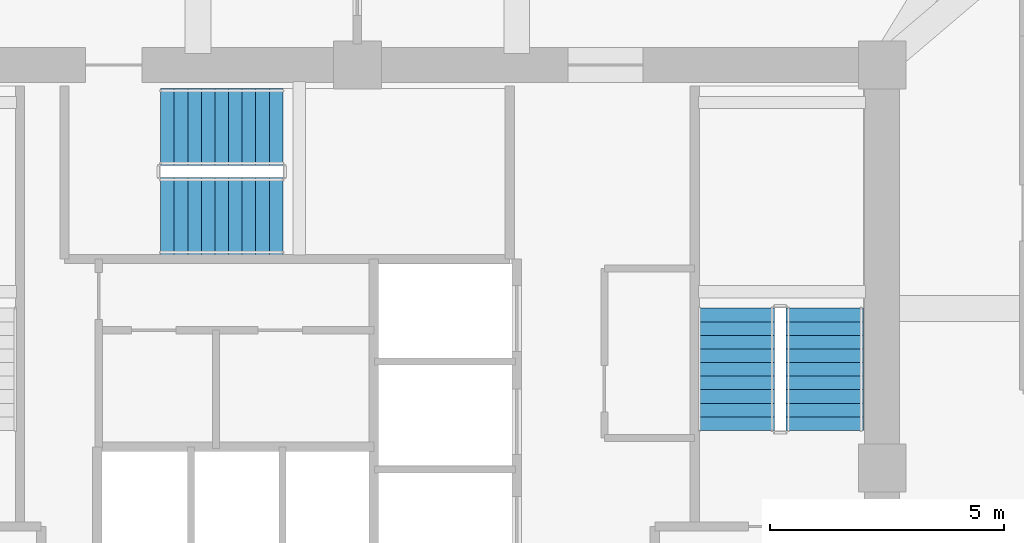
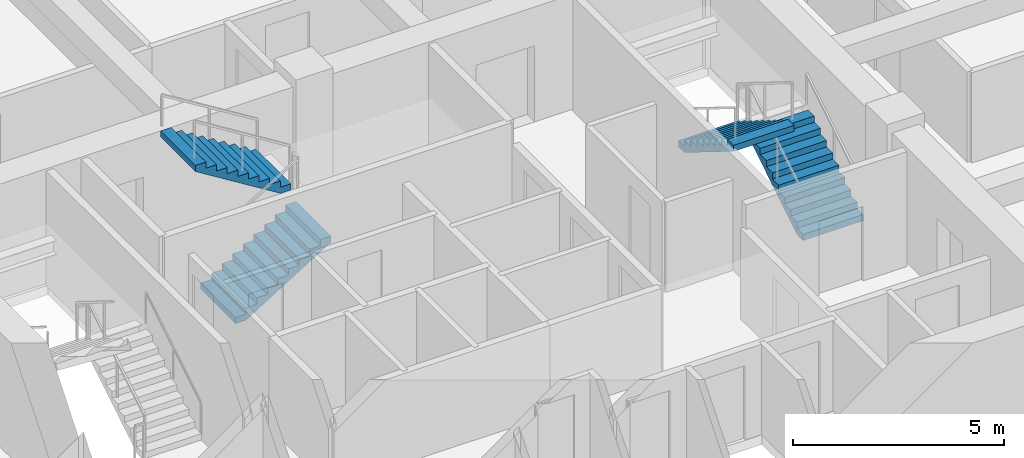
# One storey, part 13 of 15: 4 stair flights, 2 elements without a shape of their own.
"""IFC4 building model written with IfcOpenShell, lengths in metres."""

from ifc_helpers import new_model, si_unit, derived_unit, direction, frame, origin, place, context, subcontext, project, spatial, polyline, outline, extrude, material, type_object, element, aggregate, save


model = new_model("IFC4")

# Units and contexts
model_context = context("Model", 3, precision=1e-05, world=origin(), true_north=direction((0.0, 1.0)))
body_context = subcontext(model_context, "Body", "Model", "MODEL_VIEW")
ifc_project = project(units=[si_unit("LENGTHUNIT", "METRE"), si_unit("AREAUNIT", "SQUARE_METRE"), si_unit("VOLUMEUNIT", "CUBIC_METRE"), si_unit("PLANEANGLEUNIT", "RADIAN"), si_unit("MASSUNIT", "GRAM", prefix="KILO"), derived_unit("THERMALTRANSMITTANCEUNIT", [(si_unit("POWERUNIT", "WATT"), 1), (si_unit("LENGTHUNIT", "METRE"), -2), (si_unit("THERMODYNAMICTEMPERATUREUNIT", "KELVIN"), -1)])], contexts=[model_context])

# Site, building, storey
site_placement = place(None, origin())
site = spatial("IfcSite", under=ifc_project, at=site_placement, CompositionType="ELEMENT")
building_placement = place(site_placement, origin())
building = spatial("IfcBuilding", under=site, at=building_placement, Name="Koralith Skygarden Medical Center", CompositionType="ELEMENT")
storey_placement = place(building_placement, frame((0.0, 0.0, 91.97998046875)))
storey = spatial("IfcBuildingStorey", under=building, at=storey_placement, Name="L23", CompositionType="ELEMENT", Elevation=91.97998046875)

# Stair, stair flights
ifc_material = material(Name="Concrete C45/55", Category="concrete")
stair_type = type_object("IfcStairType", Name="Core Exit Dogleg Concrete Stair", PredefinedType="HALF_TURN_STAIR", material=ifc_material)
stair_1_placement = place(storey_placement, origin())
stair_1 = element("IfcStair", 1, at=stair_1_placement, inside=storey, type_object=stair_type, Name="L23 Smokeproof Exit Stair ST2", PredefinedType="HALF_TURN_STAIR")
stair_flight_type = type_object("IfcStairFlightType", Name="Core Exit Concrete Stair Flight 1650", PredefinedType="STRAIGHT", material=ifc_material)
stair_flight_1_placement = place(storey_placement, frame((46.97509765625, 26.699951171875, 0.0), z_axis=(0.0, 0.0, 1.0), x_axis=(0.0, 1.0, 0.0)))
stair_flight_1 = element("IfcStairFlight", 2, at=stair_flight_1_placement, type_object=stair_flight_type, Name="ST2 flight 1", NumberOfRisers=10, NumberOfTreads=9, PredefinedType="STRAIGHT", RiserHeight=0.18, TreadLength=0.29, context=body_context, shape_type="SweptSolid", body=[
    extrude(outline(polyline([(0.0, 0.0), (0.0, 0.179931640625), (0.2900390625, 0.179931640625), (0.2900390625, 0.360107421875), (0.580078125, 0.360107421875), (0.580078125, 0.5400390625), (0.8701171875, 0.5400390625), (0.8701171875, 0.719970703125), (1.159912109375, 0.719970703125), (1.159912109375, 0.89990234375), (1.449951171875, 0.89990234375), (1.449951171875, 1.080078125), (1.739990234375, 1.080078125), (1.739990234375, 1.260009765625), (2.030029296875, 1.260009765625), (2.030029296875, 1.43994140625), (2.320068359375, 1.43994140625), (2.320068359375, 1.6201171875), (2.610107421875, 1.6201171875), (2.610107421875, 1.800048828125), (2.610107421875, 1.443603515625), (0.2841796875, 0.0), (0.0, 0.0)])), frame((0.0, 0.824951171875, 0.0), z_axis=(0.0, -1.0, 0.0), x_axis=(1.0, 0.0, 0.0)), (0.0, 0.0, 1.0), 1.64990234375),
])
stair_flight_2_placement = place(storey_placement, frame((45.074951171875, 29.31005859375, 1.800048828125), z_axis=(0.0, 0.0, 1.0), x_axis=(0.0, -1.0, 0.0)))
stair_flight_2 = element("IfcStairFlight", 3, at=stair_flight_2_placement, type_object=stair_flight_type, Name="ST2 flight 2", NumberOfRisers=10, NumberOfTreads=9, PredefinedType="STRAIGHT", RiserHeight=0.18, TreadLength=0.29, context=body_context, shape_type="SweptSolid", body=[
    extrude(outline(polyline([(0.0, 0.0), (0.0, 0.179931640625), (0.2900390625, 0.179931640625), (0.2900390625, 0.360107421875), (0.580078125, 0.360107421875), (0.580078125, 0.5400390625), (0.8701171875, 0.5400390625), (0.8701171875, 0.719970703125), (1.159912109375, 0.719970703125), (1.159912109375, 0.89990234375), (1.449951171875, 0.89990234375), (1.449951171875, 1.080078125), (1.739990234375, 1.080078125), (1.739990234375, 1.260009765625), (2.030029296875, 1.260009765625), (2.030029296875, 1.43994140625), (2.320068359375, 1.43994140625), (2.320068359375, 1.6201171875), (2.610107421875, 1.6201171875), (2.610107421875, 1.800048828125), (2.610107421875, 1.443603515625), (0.2841796875, 0.0), (0.0, 0.0)])), frame((0.0, 0.824951171875, 0.0), z_axis=(0.0, -1.0, 0.0), x_axis=(1.0, 0.0, 0.0)), (0.0, 0.0, 1.0), 1.64990234375),
])
aggregate(stair_1, [stair_flight_1, stair_flight_2])

stair_2_placement = place(storey_placement, origin())
stair_2 = element("IfcStair", 4, at=stair_2_placement, inside=storey, type_object=stair_type, Name="L23 Smokeproof Exit Stair ST3", PredefinedType="HALF_TURN_STAIR")
stair_flight_3_placement = place(storey_placement, frame((32.800048828125, 31.27490234375, 0.0), z_axis=(0.0, 0.0, 1.0), x_axis=(1.0, 0.0, 0.0)))
stair_flight_3 = element("IfcStairFlight", 5, at=stair_flight_3_placement, type_object=stair_flight_type, Name="ST3 flight 1", NumberOfRisers=10, NumberOfTreads=9, PredefinedType="STRAIGHT", RiserHeight=0.18, TreadLength=0.29, context=body_context, shape_type="SweptSolid", body=[
    extrude(outline(polyline([(0.0, 0.0), (0.0, 0.179931640625), (0.2900390625, 0.179931640625), (0.2900390625, 0.360107421875), (0.580078125, 0.360107421875), (0.580078125, 0.5400390625), (0.8701171875, 0.5400390625), (0.8701171875, 0.719970703125), (1.159912109375, 0.719970703125), (1.159912109375, 0.89990234375), (1.449951171875, 0.89990234375), (1.449951171875, 1.080078125), (1.739990234375, 1.080078125), (1.739990234375, 1.260009765625), (2.030029296875, 1.260009765625), (2.030029296875, 1.43994140625), (2.320068359375, 1.43994140625), (2.320068359375, 1.6201171875), (2.610107421875, 1.6201171875), (2.610107421875, 1.800048828125), (2.610107421875, 1.443603515625), (0.2841796875, 0.0), (0.0, 0.0)])), frame((0.0, 0.824951171875, 0.0), z_axis=(0.0, -1.0, 0.0), x_axis=(1.0, 0.0, 0.0)), (0.0, 0.0, 1.0), 1.64990234375),
])
stair_flight_4_placement = place(storey_placement, frame((35.409912109375, 33.175048828125, 1.800048828125), z_axis=(0.0, 0.0, 1.0), x_axis=(-1.0, 0.0, 0.0)))
stair_flight_4 = element("IfcStairFlight", 6, at=stair_flight_4_placement, type_object=stair_flight_type, Name="ST3 flight 2", NumberOfRisers=10, NumberOfTreads=9, PredefinedType="STRAIGHT", RiserHeight=0.18, TreadLength=0.29, context=body_context, shape_type="SweptSolid", body=[
    extrude(outline(polyline([(0.0, 0.0), (0.0, 0.179931640625), (0.2900390625, 0.179931640625), (0.2900390625, 0.360107421875), (0.580078125, 0.360107421875), (0.580078125, 0.5400390625), (0.8701171875, 0.5400390625), (0.8701171875, 0.719970703125), (1.159912109375, 0.719970703125), (1.159912109375, 0.89990234375), (1.449951171875, 0.89990234375), (1.449951171875, 1.080078125), (1.739990234375, 1.080078125), (1.739990234375, 1.260009765625), (2.030029296875, 1.260009765625), (2.030029296875, 1.43994140625), (2.320068359375, 1.43994140625), (2.320068359375, 1.6201171875), (2.610107421875, 1.6201171875), (2.610107421875, 1.800048828125), (2.610107421875, 1.443603515625), (0.2841796875, 0.0), (0.0, 0.0)])), frame((0.0, 0.824951171875, 0.0), z_axis=(0.0, -1.0, 0.0), x_axis=(1.0, 0.0, 0.0)), (0.0, 0.0, 1.0), 1.64990234375),
])
aggregate(stair_2, [stair_flight_3, stair_flight_4])

save(model, "model.ifc")
